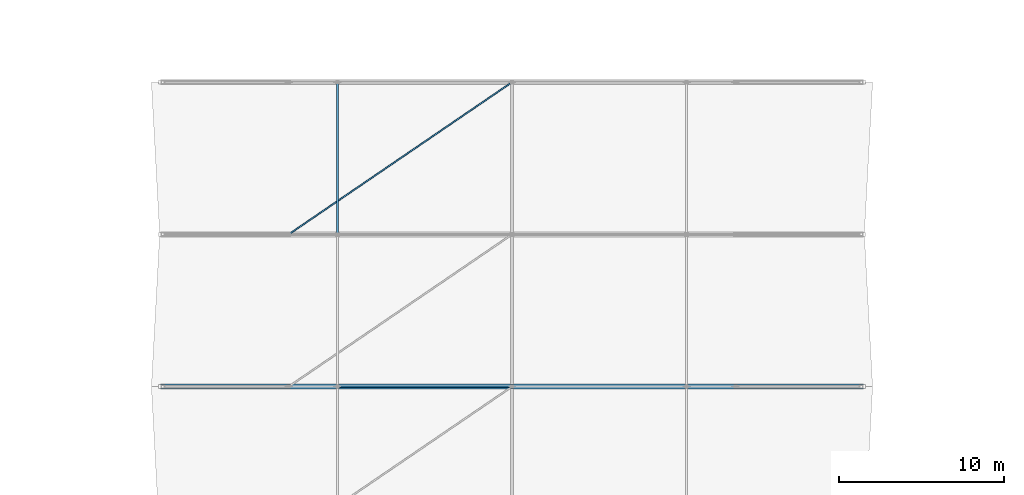
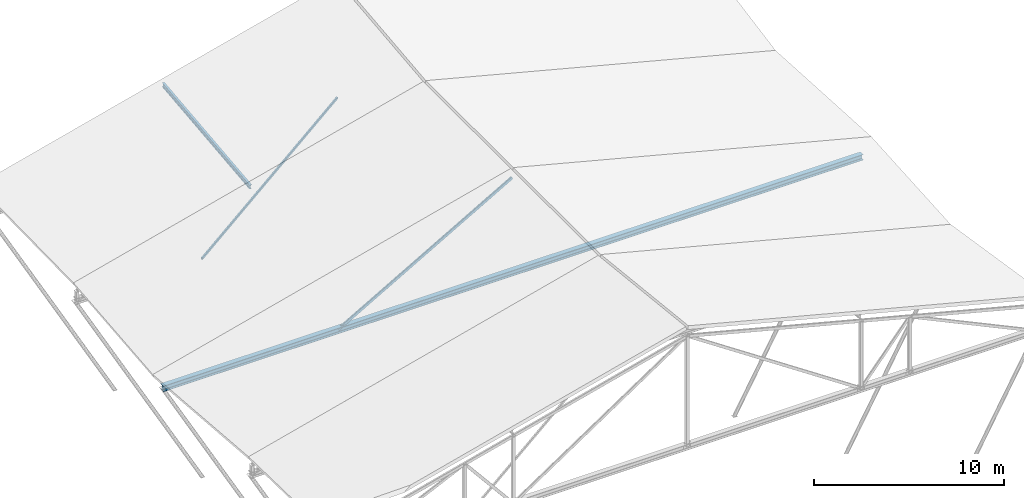
# One storey, part 16 of 56: 3 members, 1 beam.
"""IFC4 building model written with IfcOpenShell, lengths in metres."""

from ifc_helpers import new_model, si_unit, direction, frame, origin, origin_2d, place, context, subcontext, project, spatial, hollow_rectangle, i_section, extrude, material, material_profile, profile_set, type_object, element, save


model = new_model("IFC4")

# Units and contexts
model_context = context("Model", 3, precision=1e-05, world=origin(), true_north=direction((0.0, 1.0)))
body_context = subcontext(model_context, "Body", "Model", "MODEL_VIEW")
ifc_project = project(units=[si_unit("LENGTHUNIT", "METRE"), si_unit("AREAUNIT", "SQUARE_METRE"), si_unit("VOLUMEUNIT", "CUBIC_METRE"), si_unit("PLANEANGLEUNIT", "RADIAN"), si_unit("MASSUNIT", "GRAM", prefix="KILO")], contexts=[model_context])

# Site, building, storey
site_placement = place(None, origin())
site = spatial("IfcSite", under=ifc_project, at=site_placement, CompositionType="ELEMENT")
building_placement = place(site_placement, origin())
building = spatial("IfcBuilding", under=site, at=building_placement, Name="Bozkorgan Art Gallery", CompositionType="ELEMENT")
storey_placement = place(building_placement, frame((0.0, 0.0, 24.0)))
storey = spatial("IfcBuildingStorey", under=building, at=storey_placement, Name="L05", CompositionType="ELEMENT", Elevation=24.0)

# Beam
ifc_material = material(Name="Steel S355J2", Category="steel")
ifc_material_profile_1 = material_profile(ifc_material, i_section(OverallWidth=0.300048828125, OverallDepth=0.360107421875, WebThickness=0.012451171875, FlangeThickness=0.0224609375, FilletRadius=0.027099609375, at=origin_2d()), Name="HEB 360")
ifc_profile_set_1 = profile_set([ifc_material_profile_1], Name="Steel S355J2")
beam_type = type_object("IfcBeamType", Name="BEAM-TO-26", PredefinedType="BEAM", material=ifc_profile_set_1)
beam_placement = place(storey_placement, frame((66.260009765625, 66.0, 0.179931640625), z_axis=(1.0, 0.0, 0.0), x_axis=(0.0, 1.0, 0.0)))
element("IfcBeam", 1, at=beam_placement, inside=storey, type_object=beam_type, Name="ROOF-V4-MAIN roof truss 3 bottom chord", PredefinedType="BEAM", context=body_context, shape_type="SweptSolid", body=[
    extrude(i_section(OverallWidth=0.300048828125, OverallDepth=0.360107421875, WebThickness=0.012451171875, FlangeThickness=0.0224609375, FilletRadius=0.027099609375, at=origin_2d()), origin(), (0.0, 0.0, 1.0), 42.47998046875),
])

# Members
ifc_material_profile_2 = material_profile(ifc_material, i_section(OverallWidth=0.135009765625, OverallDepth=0.27001953125, WebThickness=0.006591796875, FlangeThickness=0.01025390625, FilletRadius=0.014892578125, at=origin_2d()), Name="IPE 270")
ifc_profile_set_2 = profile_set([ifc_material_profile_2], Name="Steel S355J2")
member_type_1 = type_object("IfcMemberType", Name="MEMBER-PR-57", PredefinedType="PURLIN", material=ifc_profile_set_2)
member_1_placement = place(storey_placement, frame((76.949951171875, 75.199951171875, 3.736083984375), z_axis=(0.0, 0.994056223168, 0.108867925404), x_axis=(-1.0, 0.0, 0.0)))
element("IfcMember", 2, at=member_1_placement, inside=storey, type_object=member_type_1, Name="ROOF-V4-MAIN roof purlin 4W", PredefinedType="PURLIN", context=body_context, shape_type="SweptSolid", body=[
    extrude(i_section(OverallWidth=0.135009765625, OverallDepth=0.27001953125, WebThickness=0.006591796875, FlangeThickness=0.01025390625, FilletRadius=0.014892578125, at=origin_2d()), origin(), (0.0, 0.0, 1.0), 9.2548828125),
])
ifc_material_profile_3 = material_profile(ifc_material, hollow_rectangle(XDim=0.10009765625, YDim=0.179931640625, WallThickness=0.008056640625, InnerFilletRadius=0.011962890625, OuterFilletRadius=0.02001953125, at=origin_2d()), Name="RHS 180x100x8")
ifc_profile_set_3 = profile_set([ifc_material_profile_3], Name="Steel S355J2")
member_type_2 = type_object("IfcMemberType", Name="MEMBER-TW-22", PredefinedType="BRACE", material=ifc_profile_set_3)
member_2_placement = place(storey_placement, frame((76.949951171875, 66.0, 0.179931640625), z_axis=(0.867499704855, 0.0, 0.497437696679), x_axis=(0.0, 1.0, 0.0)))
element("IfcMember", 3, at=member_2_placement, inside=storey, type_object=member_type_2, Name="ROOF-V4-MAIN roof truss 3 diagonal 3", PredefinedType="BRACE", context=body_context, shape_type="SweptSolid", body=[
    extrude(hollow_rectangle(XDim=0.10009765625, YDim=0.179931640625, WallThickness=0.008056640625, InnerFilletRadius=0.011962890625, OuterFilletRadius=0.02001953125, at=origin_2d()), origin(), (0.0, 0.0, 1.0), 12.161376953125),
])
ifc_material_profile_4 = material_profile(ifc_material, hollow_rectangle(XDim=0.10009765625, YDim=0.14990234375, WallThickness=0.008056640625, InnerFilletRadius=0.011962890625, OuterFilletRadius=0.02001953125, at=origin_2d()), Name="RHS 150x100x8")
ifc_profile_set_4 = profile_set([ifc_material_profile_4], Name="Steel S355J2")
member_type_3 = type_object("IfcMemberType", Name="MEMBER-WB-10", PredefinedType="BRACE", material=ifc_profile_set_4)
member_3_placement = place(storey_placement, frame((74.0, 75.199951171875, 0.179931640625), z_axis=(0.826358214582, 0.563144831454, 0.0), x_axis=(-0.563144831454, 0.826358214582, 0.0)))
element("IfcMember", 4, at=member_3_placement, inside=storey, type_object=member_type_3, Name="ROOF-V4-MAIN roof diaphragm wind brace 4", PredefinedType="BRACE", context=body_context, shape_type="SweptSolid", body=[
    extrude(hollow_rectangle(XDim=0.10009765625, YDim=0.14990234375, WallThickness=0.008056640625, InnerFilletRadius=0.011962890625, OuterFilletRadius=0.02001953125, at=origin_2d()), origin(), (0.0, 0.0, 1.0), 16.336669921875),
])

save(model, "model.ifc")
